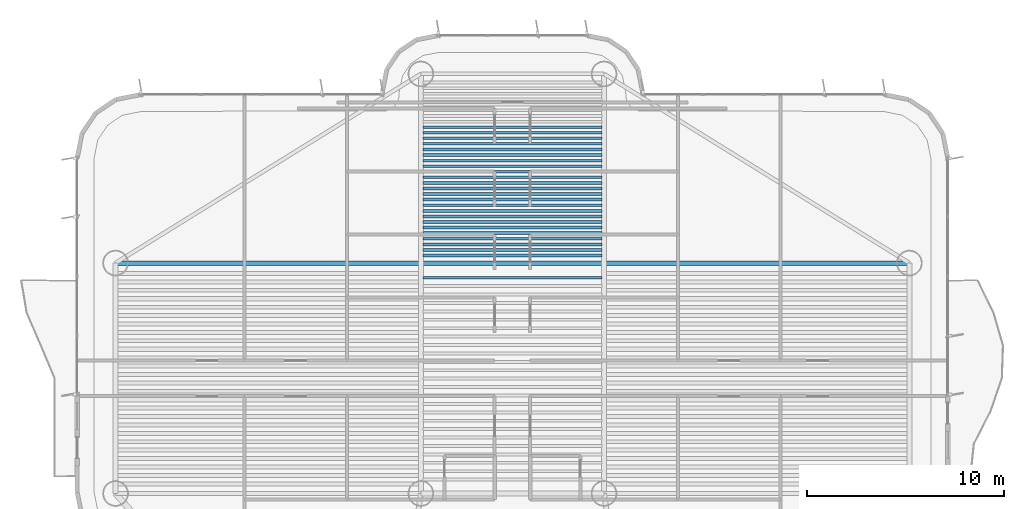
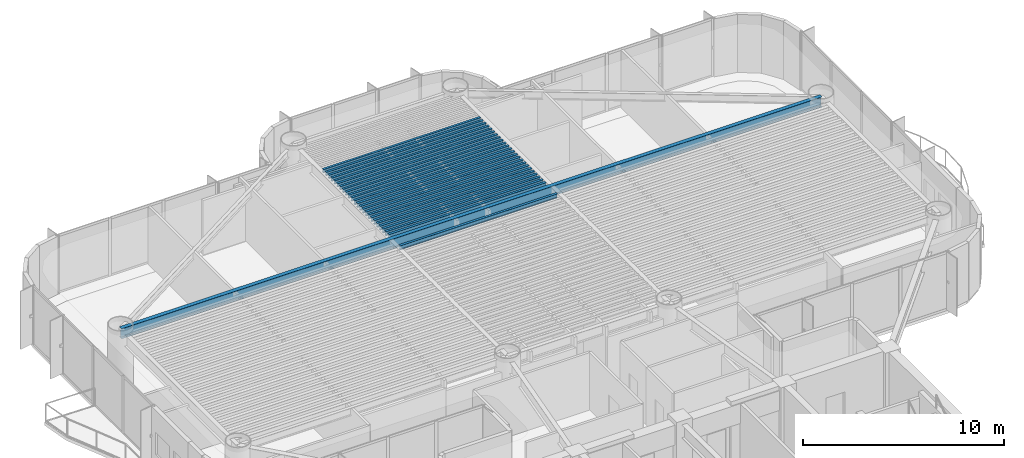
# One storey, part 6 of 16: 26 beams.
"""IFC4 building model written with IfcOpenShell, lengths in metres."""

from ifc_helpers import new_model, si_unit, direction, frame, origin, origin_2d, place, context, subcontext, project, spatial, i_section, extrude, source, transform, mapped, material, material_profile, profile_set, type_object, element, save


model = new_model("IFC4")

# Units and contexts
model_context = context("Model", 3, precision=1e-05, world=origin(), true_north=direction((0.0, 1.0)))
body_context = subcontext(model_context, "Body", "Model", "MODEL_VIEW")
ifc_project = project(units=[si_unit("LENGTHUNIT", "METRE"), si_unit("AREAUNIT", "SQUARE_METRE"), si_unit("VOLUMEUNIT", "CUBIC_METRE"), si_unit("PLANEANGLEUNIT", "RADIAN"), si_unit("MASSUNIT", "GRAM", prefix="KILO")], contexts=[model_context])

# Site, building, storey
site_placement = place(None, origin())
site = spatial("IfcSite", under=ifc_project, at=site_placement, CompositionType="ELEMENT")
building_placement = place(site_placement, origin())
building = spatial("IfcBuilding", under=site, at=building_placement, Name="Brelvock Crest Care Tower", CompositionType="ELEMENT")
storey_placement = place(building_placement, frame((0.0, 0.0, 101.159912109375)))
storey = spatial("IfcBuildingStorey", under=building, at=storey_placement, Name="L25", CompositionType="ELEMENT", Elevation=101.159912109375)

# Beams
ifc_material = material(Name="Steel Grade 350", Category="steel")
ifc_material_profile_1 = material_profile(ifc_material, i_section(OverallWidth=0.14599609375, OverallDepth=0.256103515625, WebThickness=0.00634765625, FlangeThickness=0.010986328125, FilletRadius=0.0087890625, at=origin_2d()), Name="250UB37.3")
ifc_profile_set_1 = profile_set([ifc_material_profile_1], Name="Steel Grade 350")
beam_type_1 = type_object("IfcBeamType", Name="BM-J3", PredefinedType="JOIST", material=ifc_profile_set_1)
shared_shape_1 = source(origin(), body_context, "Body", "SweptSolid", [
    extrude(i_section(OverallWidth=0.14599609375, OverallDepth=0.256103515625, WebThickness=0.00634765625, FlangeThickness=0.010986328125, FilletRadius=0.0087890625, at=origin_2d()), origin(), (0.0, 0.0, 1.0), 9.06982421875),
])
for number, where, z_axis, x_axis, name in (
    (1, (31.465087890625, 38.10400390625, 3.402099609375), (1.0, 0.0, 0.0), (0.0, 1.0, 0.0), "BM-JH-L25-25"),
    (2, (31.465087890625, 39.23388671875, 3.402099609375), (1.0, 0.0, 0.0), (0.0, 1.0, 0.0), "BM-JN-L25-1"),
    (3, (31.465087890625, 39.51708984375, 3.402099609375), (1.0, 0.0, 0.0), (0.0, 1.0, 0.0), "BM-JN-L25-2"),
    (4, (31.465087890625, 39.80029296875, 3.402099609375), (1.0, 0.0, 0.0), (0.0, 1.0, 0.0), "BM-JN-L25-3"),
    (5, (31.465087890625, 40.08349609375, 3.402099609375), (1.0, 0.0, 0.0), (0.0, 1.0, 0.0), "BM-JN-L25-4"),
    (6, (31.465087890625, 40.36669921875, 3.402099609375), (1.0, 0.0, 0.0), (0.0, 1.0, 0.0), "BM-JN-L25-5"),
    (7, (31.465087890625, 40.64990234375, 3.402099609375), (1.0, 0.0, 0.0), (0.0, 1.0, 0.0), "BM-JN-L25-6"),
    (8, (31.465087890625, 40.93310546875, 3.402099609375), (1.0, 0.0, 0.0), (0.0, 1.0, 0.0), "BM-JN-L25-7"),
    (9, (31.465087890625, 41.21630859375, 3.402099609375), (1.0, 0.0, 0.0), (0.0, 1.0, 0.0), "BM-JN-L25-8"),
    (10, (31.465087890625, 41.49951171875, 3.402099609375), (1.0, 0.0, 0.0), (0.0, 1.0, 0.0), "BM-JN-L25-9"),
    (11, (31.465087890625, 41.78271484375, 3.402099609375), (1.0, 0.0, 0.0), (0.0, 1.0, 0.0), "BM-JN-L25-10"),
    (12, (31.465087890625, 42.06591796875, 3.402099609375), (1.0, 0.0, 0.0), (0.0, 1.0, 0.0), "BM-JN-L25-11"),
    (13, (31.465087890625, 42.34912109375, 3.402099609375), (1.0, 0.0, 0.0), (0.0, 1.0, 0.0), "BM-JN-L25-12"),
    (14, (31.465087890625, 42.63232421875, 3.402099609375), (1.0, 0.0, 0.0), (0.0, 1.0, 0.0), "BM-JN-L25-13"),
):
    element("IfcBeam", number, at=place(storey_placement, frame(where, z_axis=z_axis, x_axis=x_axis)), inside=storey, type_object=beam_type_1, Name=name, PredefinedType="JOIST", context=body_context, shape_type="MappedRepresentation", body=[
        mapped(shared_shape_1, transform((0.0, 0.0, 0.0), x_axis=(1.0, 0.0, 0.0), y_axis=(0.0, 1.0, 0.0), z_axis=(0.0, 0.0, 1.0), scale=1.0)),
    ])
ifc_material_profile_2 = material_profile(ifc_material, i_section(OverallWidth=0.134033203125, OverallDepth=0.20703125, WebThickness=0.00634765625, FlangeThickness=0.009521484375, FilletRadius=0.0087890625, at=origin_2d()), Name="200UB29.8")
ifc_profile_set_2 = profile_set([ifc_material_profile_2], Name="Steel Grade 350")
beam_type_2 = type_object("IfcBeamType", Name="BM-J4", PredefinedType="JOIST", material=ifc_profile_set_2)
shared_shape_2 = source(origin(), body_context, "Body", "SweptSolid", [
    extrude(i_section(OverallWidth=0.134033203125, OverallDepth=0.20703125, WebThickness=0.00634765625, FlangeThickness=0.009521484375, FilletRadius=0.0087890625, at=origin_2d()), origin(), (0.0, 0.0, 1.0), 9.06982421875),
])
for number, where, z_axis, x_axis, name in (
    (15, (31.465087890625, 42.91552734375, 3.426513671875), (1.0, 0.0, 0.0), (0.0, 1.0, 0.0), "BM-JN-L25-14"),
    (16, (31.465087890625, 43.19873046875, 3.426513671875), (1.0, 0.0, 0.0), (0.0, 1.0, 0.0), "BM-JN-L25-15"),
    (17, (31.465087890625, 43.48193359375, 3.426513671875), (1.0, 0.0, 0.0), (0.0, 1.0, 0.0), "BM-JN-L25-16"),
    (18, (31.465087890625, 43.76513671875, 3.426513671875), (1.0, 0.0, 0.0), (0.0, 1.0, 0.0), "BM-JN-L25-17"),
    (19, (31.465087890625, 44.04833984375, 3.426513671875), (1.0, 0.0, 0.0), (0.0, 1.0, 0.0), "BM-JN-L25-18"),
    (20, (31.465087890625, 44.33154296875, 3.426513671875), (1.0, 0.0, 0.0), (0.0, 1.0, 0.0), "BM-JN-L25-19"),
    (21, (31.465087890625, 44.61474609375, 3.426513671875), (1.0, 0.0, 0.0), (0.0, 1.0, 0.0), "BM-JN-L25-20"),
    (22, (31.465087890625, 44.89794921875, 3.426513671875), (1.0, 0.0, 0.0), (0.0, 1.0, 0.0), "BM-JN-L25-21"),
    (23, (31.465087890625, 45.18115234375, 3.426513671875), (1.0, 0.0, 0.0), (0.0, 1.0, 0.0), "BM-JN-L25-22"),
    (24, (31.465087890625, 45.46435546875, 3.426513671875), (1.0, 0.0, 0.0), (0.0, 1.0, 0.0), "BM-JN-L25-23"),
    (25, (31.465087890625, 45.74755859375, 3.426513671875), (1.0, 0.0, 0.0), (0.0, 1.0, 0.0), "BM-JN-L25-24"),
):
    element("IfcBeam", number, at=place(storey_placement, frame(where, z_axis=z_axis, x_axis=x_axis)), inside=storey, type_object=beam_type_2, Name=name, PredefinedType="JOIST", context=body_context, shape_type="MappedRepresentation", body=[
        mapped(shared_shape_2, transform((0.0, 0.0, 0.0), x_axis=(1.0, 0.0, 0.0), y_axis=(0.0, 1.0, 0.0), z_axis=(0.0, 0.0, 1.0), scale=1.0)),
    ])
ifc_material_profile_3 = material_profile(ifc_material, i_section(OverallWidth=0.22900390625, OverallDepth=0.612060546875, WebThickness=0.011962890625, FlangeThickness=0.01953125, FilletRadius=0.013916015625, at=origin_2d()), Name="610UB125")
ifc_profile_set_3 = profile_set([ifc_material_profile_3], Name="Steel Grade 350")
beam_type_3 = type_object("IfcBeamType", Name="BM-G1", PredefinedType="BEAM", material=ifc_profile_set_3)
shared_shape_3 = source(origin(), body_context, "Body", "SweptSolid", [
    extrude(i_section(OverallWidth=0.22900390625, OverallDepth=0.612060546875, WebThickness=0.011962890625, FlangeThickness=0.01953125, FilletRadius=0.013916015625, at=origin_2d()), origin(), (0.0, 0.0, 1.0), 40.2998046875),
])
beam_placement = place(storey_placement, frame((15.85009765625, 38.85009765625, 3.22412109375), z_axis=(1.0, 0.0, 0.0), x_axis=(0.0, 1.0, 0.0)))
element("IfcBeam", 26, at=beam_placement, inside=storey, type_object=beam_type_3, Name="BM-TWR-L25-11", PredefinedType="BEAM", context=body_context, shape_type="MappedRepresentation", body=[
    mapped(shared_shape_3, transform((0.0, 0.0, 0.0), x_axis=(1.0, 0.0, 0.0), y_axis=(0.0, 1.0, 0.0), z_axis=(0.0, 0.0, 1.0), scale=1.0)),
])

save(model, "model.ifc")
